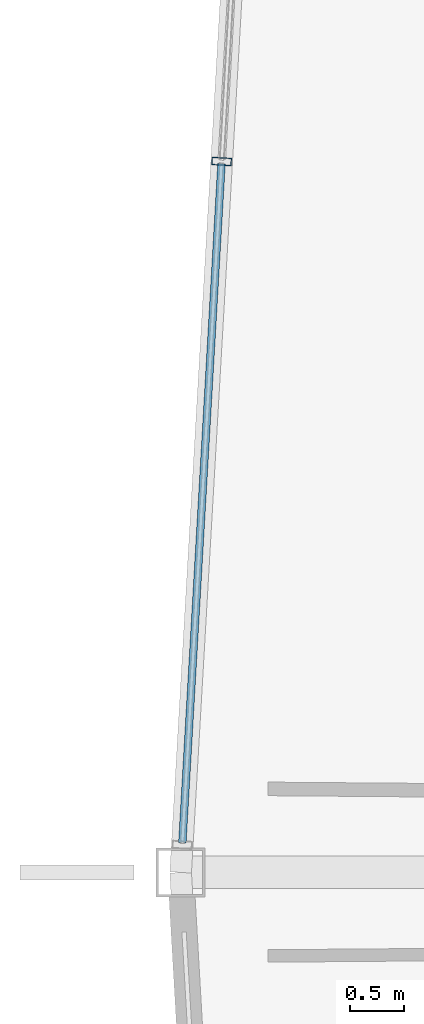
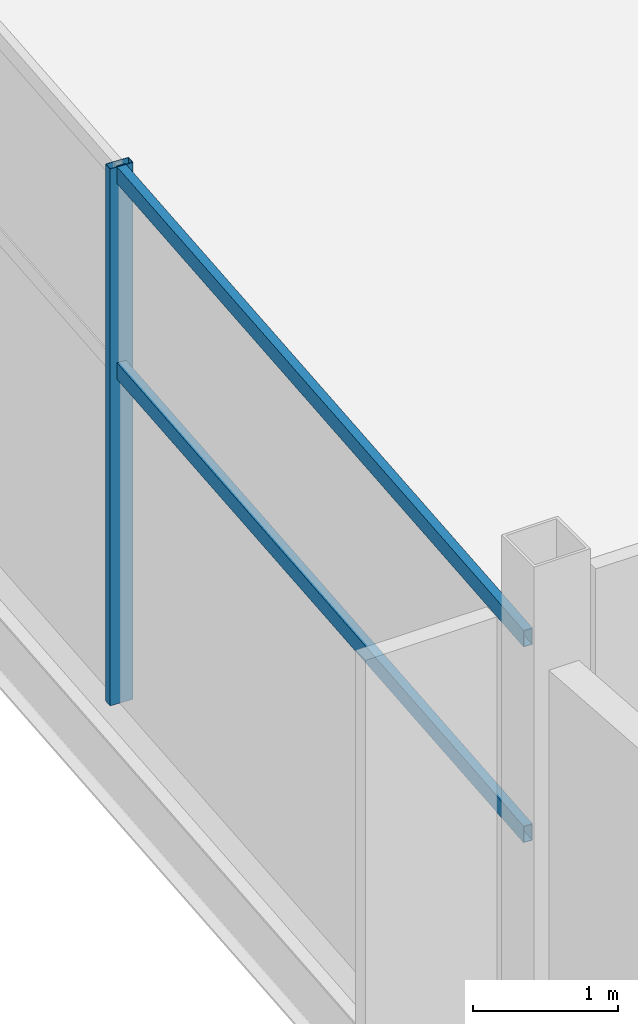
# One storey, part 47 of 186: 3 members, 1 element without a shape of its own.
"""IFC4 building model written with IfcOpenShell, lengths in metres."""

from ifc_helpers import new_model, si_unit, direction, frame, origin, origin_2d, place, context, subcontext, project, spatial, hollow_rectangle, extrude, material, layer, layer_set, material_profile, profile_set, type_object, element, aggregate, save


model = new_model("IFC4")

# Units and contexts
model_context = context("Model", 3, precision=1e-05, world=origin(), true_north=direction((0.0, 1.0)))
body_context = subcontext(model_context, "Body", "Model", "MODEL_VIEW")
ifc_project = project(units=[si_unit("LENGTHUNIT", "METRE"), si_unit("AREAUNIT", "SQUARE_METRE"), si_unit("VOLUMEUNIT", "CUBIC_METRE"), si_unit("PLANEANGLEUNIT", "RADIAN"), si_unit("MASSUNIT", "GRAM", prefix="KILO")], contexts=[model_context])

# Site, building, storey
site_placement = place(None, origin())
site = spatial("IfcSite", under=ifc_project, at=site_placement, CompositionType="ELEMENT")
building_placement = place(site_placement, origin())
building = spatial("IfcBuilding", under=site, at=building_placement, Name="Kazemori Nagisa Stadium", CompositionType="ELEMENT")
storey_placement = place(building_placement, frame((0.0, 0.0, 20.39990234375)))
storey = spatial("IfcBuildingStorey", under=building, at=storey_placement, Name="L04", CompositionType="ELEMENT", Elevation=20.39990234375)

# Curtain wall, members
ifc_material_1 = material(Name="Anodised aluminium 6063-T5", Category="aluminium")
ifc_layer = layer(ifc_material_1, 0.179931640625, Name="Anodised aluminium 6063-T5", Category="aluminium")
ifc_layer_set = layer_set([ifc_layer], Name="Anodised aluminium 6063-T5")
curtain_wall_type = type_object("IfcCurtainWallType", Name="CW_L04R3_95", PredefinedType="USERDEFINED", material=ifc_layer_set)
curtain_wall_placement = place(storey_placement, origin())
curtain_wall = element("IfcCurtainWall", 1, at=curtain_wall_placement, inside=storey, type_object=curtain_wall_type, Name="Unitised curtain wall CW-L04R3-95 L04", ObjectType="UNITISED CURTAIN WALL", PredefinedType="USERDEFINED")
ifc_material_2 = material(Name="Aluminium 6063-T5 anodised", Category="aluminium")
ifc_material_profile_1 = material_profile(ifc_material_2, hollow_rectangle(XDim=0.070068359375, YDim=0.179931640625, WallThickness=0.00390625, at=origin_2d()), Name="ALU-MULL-70x180x4")
ifc_profile_set_1 = profile_set([ifc_material_profile_1], Name="Aluminium 6063-T5 anodised")
member_type_1 = type_object("IfcMemberType", Name="Mullion_M01", PredefinedType="MULLION", material=ifc_profile_set_1)
member_1_placement = place(storey_placement, frame((28.3779296875, 108.55078125, 0.0), z_axis=(0.0, 0.0, 1.0), x_axis=(-0.057601670941, -0.998339645364, 0.0)))
member_1 = element("IfcMember", 2, at=member_1_placement, type_object=member_type_1, Name="Curtain wall mullion CW-L04R3-95-M3", PredefinedType="MULLION", context=body_context, shape_type="SweptSolid", body=[
    extrude(hollow_rectangle(XDim=0.070068359375, YDim=0.179931640625, WallThickness=0.00390625, at=origin_2d()), origin(), (0.0, 0.0, 1.0), 4.530029296875),
])
ifc_material_profile_2 = material_profile(ifc_material_2, hollow_rectangle(XDim=0.070068359375, YDim=0.139892578125, WallThickness=0.00390625, at=origin_2d()), Name="ALU-TRAN-70x140x4")
ifc_profile_set_2 = profile_set([ifc_material_profile_2], Name="Aluminium 6063-T5 anodised")
member_type_2 = type_object("IfcMemberType", Name="Transom_T01", PredefinedType="USERDEFINED", material=ifc_profile_set_2)
member_2_placement = place(storey_placement, frame((28.376708984375, 108.53076171875, 2.80859375), z_axis=(-0.057582347061, -0.998340760115, 0.0), x_axis=(0.998340760115, -0.057582347061, 0.0)))
member_2 = element("IfcMember", 3, at=member_2_placement, type_object=member_type_2, Name="Curtain wall transom CW-L04R3-95-T3-mid", ObjectType="TRANSOM", PredefinedType="USERDEFINED", context=body_context, shape_type="SweptSolid", body=[
    extrude(hollow_rectangle(XDim=0.070068359375, YDim=0.139892578125, WallThickness=0.00390625, at=origin_2d()), origin(), (0.0, 0.0, 1.0), 6.2666015625),
])
member_3_placement = place(storey_placement, frame((28.376708984375, 108.53076171875, 4.460205078125), z_axis=(-0.057582347061, -0.998340760115, 0.0), x_axis=(0.998340760115, -0.057582347061, 0.0)))
member_3 = element("IfcMember", 4, at=member_3_placement, type_object=member_type_2, Name="Curtain wall transom CW-L04R3-95-T3-head", ObjectType="TRANSOM", PredefinedType="USERDEFINED", context=body_context, shape_type="SweptSolid", body=[
    extrude(hollow_rectangle(XDim=0.070068359375, YDim=0.139892578125, WallThickness=0.00390625, at=origin_2d()), origin(), (0.0, 0.0, 1.0), 6.2666015625),
])
aggregate(curtain_wall, [member_1, member_2, member_3])

save(model, "model.ifc")
